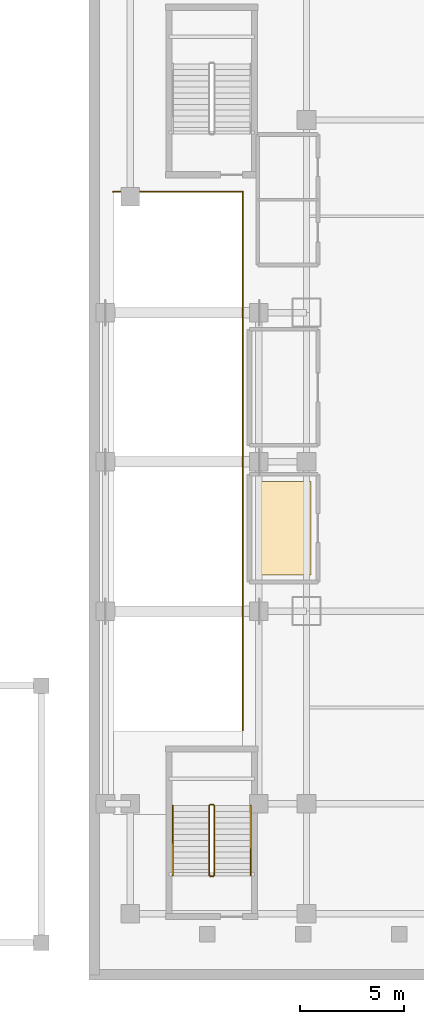
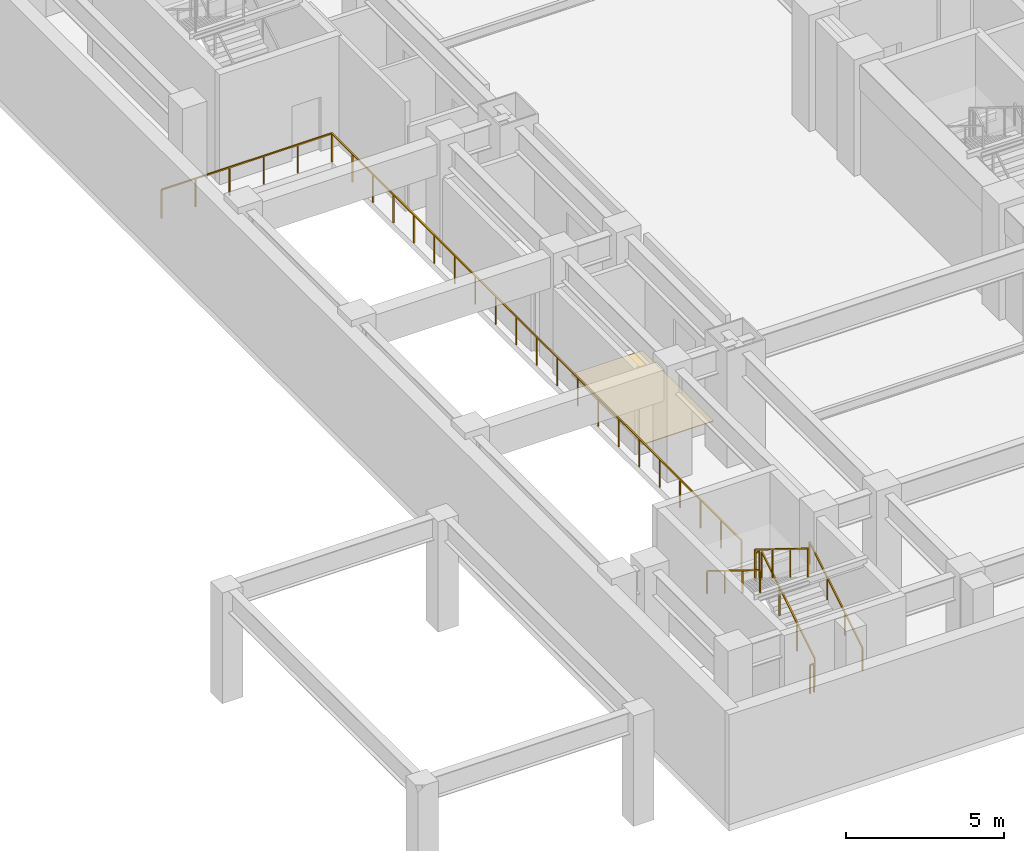
# One storey, part 7 of 12: 7 railings, 1 covering.
"""IFC4 building model written with IfcOpenShell, lengths in metres."""

from ifc_helpers import new_model, si_unit, direction, frame, origin, origin_2d, place, context, subcontext, project, spatial, polyline, rectangle, outline, extrude, material, layer, layer_set, type_object, element, save


model = new_model("IFC4")

# Units and contexts
model_context = context("Model", 3, precision=1e-05, world=origin(), true_north=direction((0.0, 1.0)))
body_context = subcontext(model_context, "Body", "Model", "MODEL_VIEW")
ifc_project = project(units=[si_unit("LENGTHUNIT", "METRE"), si_unit("AREAUNIT", "SQUARE_METRE"), si_unit("VOLUMEUNIT", "CUBIC_METRE"), si_unit("PLANEANGLEUNIT", "RADIAN"), si_unit("MASSUNIT", "GRAM", prefix="KILO")], contexts=[model_context])

# Site, building, storey
site_placement = place(None, origin())
site = spatial("IfcSite", under=ifc_project, at=site_placement, CompositionType="ELEMENT")
building_placement = place(site_placement, origin())
building = spatial("IfcBuilding", under=site, at=building_placement, Name="Vantalir Tower", CompositionType="ELEMENT")
storey_placement = place(building_placement, frame((0.0, 0.0, -4.5)))
storey = spatial("IfcBuildingStorey", under=building, at=storey_placement, Name="B01", CompositionType="ELEMENT", Elevation=-4.5)

# Covering
ifc_material_1 = material(Name="Tropical teak timber and terrazzo floor finish", Category="wood")
ifc_layer = layer(ifc_material_1, 0.02490234375)
ifc_layer_set = layer_set([ifc_layer], Name="Tropical teak timber and terrazzo floor finish")
covering_type = type_object("IfcCoveringType", Name="COV-TIMBER-STONE-25", PredefinedType="FLOORING", material=ifc_layer_set)
covering_placement = place(storey_placement, origin())
element("IfcCovering", 1, at=covering_placement, inside=storey, type_object=covering_type, Name="B01 Commercial Hotel Laundry Floor Finish", PredefinedType="FLOORING", context=body_context, shape_type="SweptSolid", body=[
    extrude(outline(polyline([(10.719970703125, 24.050048828125), (8.10009765625, 24.050048828125), (8.10009765625, 19.550048828125), (10.719970703125, 19.550048828125), (10.719970703125, 24.050048828125)])), origin(), (0.0, 0.0, 1.0), 0.02490234375),
])

# Railings
ifc_material_2 = material(Name="Anodised aluminium and stainless steel guard", Category="steel")
railing_type_1 = type_object("IfcRailingType", Name="RAL-GUARD-1120", PredefinedType="GUARDRAIL", material=ifc_material_2)
railing_1_placement = place(storey_placement, frame((6.050048828125, 5.050048828125, 0.173095703125)))
element("IfcRailing", 2, at=railing_1_placement, inside=storey, type_object=railing_type_1, Name="B01 PST3 stair guard 1", PredefinedType="GUARDRAIL", context=body_context, shape_type="SweptSolid", body=[
    extrude(rectangle(XDim=0.048095703125, YDim=0.048095703125, at=origin_2d()), frame((0.0, 0.0, 1.09619140625), z_axis=(0.0, 0.850606129759, 0.525803396734), x_axis=(-1.0, 0.0, 0.0)), (0.0, 0.0, 1.0), 3.949951171875),
    extrude(rectangle(XDim=0.0419921875, YDim=0.0419921875, at=origin_2d()), origin(), (0.0, 0.0, 1.0), 1.072021484375),
    extrude(rectangle(XDim=0.0419921875, YDim=0.0419921875, at=origin_2d()), frame((0.0, 1.119873046875, 0.6923828125)), (0.0, 0.0, 1.0), 1.072021484375),
    extrude(rectangle(XDim=0.0419921875, YDim=0.0419921875, at=origin_2d()), frame((0.0, 2.239990234375, 1.384521484375)), (0.0, 0.0, 1.0), 1.072021484375),
    extrude(rectangle(XDim=0.0419921875, YDim=0.0419921875, at=origin_2d()), frame((0.0, 3.35986328125, 2.076904296875)), (0.0, 0.0, 1.0), 1.072021484375),
])
railing_2_placement = place(storey_placement, frame((6.0, 8.4599609375, 2.25)))
element("IfcRailing", 3, at=railing_2_placement, inside=storey, type_object=railing_type_1, Name="B01 PST3 stair guard 2", PredefinedType="GUARDRAIL", context=body_context, shape_type="SweptSolid", body=[
    extrude(rectangle(XDim=0.048095703125, YDim=0.048095703125, at=origin_2d()), frame((0.0, 0.0, 1.09619140625), z_axis=(-1.0, 0.0, 0.0), x_axis=(0.0, -1.0, 0.0)), (0.0, 0.0, 1.0), 0.14990234375),
    extrude(rectangle(XDim=0.0419921875, YDim=0.0419921875, at=origin_2d()), origin(), (0.0, 0.0, 1.0), 1.072021484375),
    extrude(rectangle(XDim=0.0419921875, YDim=0.0419921875, at=origin_2d()), frame((-0.14990234375, 0.0, 0.0)), (0.0, 0.0, 1.0), 1.072021484375),
])
railing_3_placement = place(storey_placement, frame((5.800048828125, 8.409912109375, 2.423095703125)))
element("IfcRailing", 4, at=railing_3_placement, inside=storey, type_object=railing_type_1, Name="B01 PST3 stair guard 3", PredefinedType="GUARDRAIL", context=body_context, shape_type="SweptSolid", body=[
    extrude(rectangle(XDim=0.048095703125, YDim=0.048095703125, at=origin_2d()), frame((0.0, 0.0, 1.09619140625), z_axis=(0.0, -0.850606129759, 0.525803396734), x_axis=(1.0, 0.0, 0.0)), (0.0, 0.0, 1.0), 3.949951171875),
    extrude(rectangle(XDim=0.0419921875, YDim=0.0419921875, at=origin_2d()), origin(), (0.0, 0.0, 1.0), 1.072021484375),
    extrude(rectangle(XDim=0.0419921875, YDim=0.0419921875, at=origin_2d()), frame((0.0, -1.119873046875, 0.6923828125)), (0.0, 0.0, 1.0), 1.072021484375),
    extrude(rectangle(XDim=0.0419921875, YDim=0.0419921875, at=origin_2d()), frame((0.0, -2.239990234375, 1.384521484375)), (0.0, 0.0, 1.0), 1.072021484375),
    extrude(rectangle(XDim=0.0419921875, YDim=0.0419921875, at=origin_2d()), frame((0.0, -3.35986328125, 2.076904296875)), (0.0, 0.0, 1.0), 1.072021484375),
])
railing_4_placement = place(storey_placement, frame((6.0, 5.0, 0.0)))
element("IfcRailing", 5, at=railing_4_placement, inside=storey, type_object=railing_type_1, Name="B01 PST3 stair guard 4", PredefinedType="GUARDRAIL", context=body_context, shape_type="SweptSolid", body=[
    extrude(rectangle(XDim=0.048095703125, YDim=0.048095703125, at=origin_2d()), frame((0.0, 0.0, 1.09619140625), z_axis=(-1.0, 0.0, 0.0), x_axis=(0.0, -1.0, 0.0)), (0.0, 0.0, 1.0), 0.14990234375),
    extrude(rectangle(XDim=0.0419921875, YDim=0.0419921875, at=origin_2d()), origin(), (0.0, 0.0, 1.0), 1.072021484375),
    extrude(rectangle(XDim=0.0419921875, YDim=0.0419921875, at=origin_2d()), frame((-0.14990234375, 0.0, 0.0)), (0.0, 0.0, 1.0), 1.072021484375),
])
railing_5_placement = place(storey_placement, frame((7.419921875, 12.06005859375, 0.0)))
element("IfcRailing", 6, at=railing_5_placement, inside=storey, type_object=railing_type_1, Name="B01 Car Park Ramp VR2 Edge Guardrail", PredefinedType="GUARDRAIL", context=body_context, shape_type="SweptSolid", body=[
    extrude(rectangle(XDim=0.048095703125, YDim=0.048095703125, at=origin_2d()), frame((0.0, 0.0, 1.09619140625), z_axis=(0.0, 1.0, 0.0), x_axis=(-1.0, 0.0, 0.0)), (0.0, 0.0, 1.0), 25.97998046875),
    extrude(rectangle(XDim=0.048095703125, YDim=0.048095703125, at=origin_2d()), frame((0.0, 25.97998046875, 1.09619140625), z_axis=(-1.0, 0.0, 0.0), x_axis=(0.0, -1.0, 0.0)), (0.0, 0.0, 1.0), 6.239990234375),
    extrude(rectangle(XDim=0.0419921875, YDim=0.0419921875, at=origin_2d()), origin(), (0.0, 0.0, 1.0), 1.072021484375),
    extrude(rectangle(XDim=0.0419921875, YDim=0.0419921875, at=origin_2d()), frame((0.0, 1.299072265625, 0.0)), (0.0, 0.0, 1.0), 1.072021484375),
    extrude(rectangle(XDim=0.0419921875, YDim=0.0419921875, at=origin_2d()), frame((0.0, 2.597900390625, 0.0)), (0.0, 0.0, 1.0), 1.072021484375),
    extrude(rectangle(XDim=0.0419921875, YDim=0.0419921875, at=origin_2d()), frame((0.0, 3.89697265625, 0.0)), (0.0, 0.0, 1.0), 1.072021484375),
    extrude(rectangle(XDim=0.0419921875, YDim=0.0419921875, at=origin_2d()), frame((0.0, 5.196044921875, 0.0)), (0.0, 0.0, 1.0), 1.072021484375),
    extrude(rectangle(XDim=0.0419921875, YDim=0.0419921875, at=origin_2d()), frame((0.0, 6.4951171875, 0.0)), (0.0, 0.0, 1.0), 1.072021484375),
    extrude(rectangle(XDim=0.0419921875, YDim=0.0419921875, at=origin_2d()), frame((0.0, 7.7939453125, 0.0)), (0.0, 0.0, 1.0), 1.072021484375),
    extrude(rectangle(XDim=0.0419921875, YDim=0.0419921875, at=origin_2d()), frame((0.0, 9.093017578125, 0.0)), (0.0, 0.0, 1.0), 1.072021484375),
    extrude(rectangle(XDim=0.0419921875, YDim=0.0419921875, at=origin_2d()), frame((0.0, 10.39208984375, 0.0)), (0.0, 0.0, 1.0), 1.072021484375),
    extrude(rectangle(XDim=0.0419921875, YDim=0.0419921875, at=origin_2d()), frame((0.0, 11.69091796875, 0.0)), (0.0, 0.0, 1.0), 1.072021484375),
    extrude(rectangle(XDim=0.0419921875, YDim=0.0419921875, at=origin_2d()), frame((0.0, 12.989990234375, 0.0)), (0.0, 0.0, 1.0), 1.072021484375),
    extrude(rectangle(XDim=0.0419921875, YDim=0.0419921875, at=origin_2d()), frame((0.0, 14.2890625, 0.0)), (0.0, 0.0, 1.0), 1.072021484375),
    extrude(rectangle(XDim=0.0419921875, YDim=0.0419921875, at=origin_2d()), frame((0.0, 15.587890625, 0.0)), (0.0, 0.0, 1.0), 1.072021484375),
    extrude(rectangle(XDim=0.0419921875, YDim=0.0419921875, at=origin_2d()), frame((0.0, 16.886962890625, 0.0)), (0.0, 0.0, 1.0), 1.072021484375),
    extrude(rectangle(XDim=0.0419921875, YDim=0.0419921875, at=origin_2d()), frame((0.0, 18.18603515625, 0.0)), (0.0, 0.0, 1.0), 1.072021484375),
    extrude(rectangle(XDim=0.0419921875, YDim=0.0419921875, at=origin_2d()), frame((0.0, 19.48486328125, 0.0)), (0.0, 0.0, 1.0), 1.072021484375),
    extrude(rectangle(XDim=0.0419921875, YDim=0.0419921875, at=origin_2d()), frame((0.0, 20.783935546875, 0.0)), (0.0, 0.0, 1.0), 1.072021484375),
    extrude(rectangle(XDim=0.0419921875, YDim=0.0419921875, at=origin_2d()), frame((0.0, 22.0830078125, 0.0)), (0.0, 0.0, 1.0), 1.072021484375),
    extrude(rectangle(XDim=0.0419921875, YDim=0.0419921875, at=origin_2d()), frame((0.0, 23.382080078125, 0.0)), (0.0, 0.0, 1.0), 1.072021484375),
    extrude(rectangle(XDim=0.0419921875, YDim=0.0419921875, at=origin_2d()), frame((0.0, 24.680908203125, 0.0)), (0.0, 0.0, 1.0), 1.072021484375),
    extrude(rectangle(XDim=0.0419921875, YDim=0.0419921875, at=origin_2d()), frame((0.0, 25.97998046875, 0.0)), (0.0, 0.0, 1.0), 1.072021484375),
    extrude(rectangle(XDim=0.0419921875, YDim=0.0419921875, at=origin_2d()), frame((-1.248046875, 25.97998046875, 0.0)), (0.0, 0.0, 1.0), 1.072021484375),
    extrude(rectangle(XDim=0.0419921875, YDim=0.0419921875, at=origin_2d()), frame((-2.49609375, 25.97998046875, 0.0)), (0.0, 0.0, 1.0), 1.072021484375),
    extrude(rectangle(XDim=0.0419921875, YDim=0.0419921875, at=origin_2d()), frame((-3.743896484375, 25.97998046875, 0.0)), (0.0, 0.0, 1.0), 1.072021484375),
    extrude(rectangle(XDim=0.0419921875, YDim=0.0419921875, at=origin_2d()), frame((-4.991943359375, 25.97998046875, 0.0)), (0.0, 0.0, 1.0), 1.072021484375),
    extrude(rectangle(XDim=0.0419921875, YDim=0.0419921875, at=origin_2d()), frame((-6.239990234375, 25.97998046875, 0.0)), (0.0, 0.0, 1.0), 1.072021484375),
])
ifc_material_3 = material(Name="Brushed stainless steel tubular handrail", Category="steel")
railing_type_2 = type_object("IfcRailingType", Name="RAL-HANDRAIL-900", PredefinedType="HANDRAIL", material=ifc_material_3)
railing_6_placement = place(storey_placement, frame((7.800048828125, 5.050048828125, 0.173095703125)))
element("IfcRailing", 7, at=railing_6_placement, inside=storey, type_object=railing_type_2, Name="B01 PST3 stair handrail 1", PredefinedType="HANDRAIL", context=body_context, shape_type="SweptSolid", body=[
    extrude(rectangle(XDim=0.048095703125, YDim=0.048095703125, at=origin_2d()), frame((0.0, 0.0, 0.8759765625), z_axis=(0.0, 0.850606129759, 0.525803396734), x_axis=(-1.0, 0.0, 0.0)), (0.0, 0.0, 1.0), 3.949951171875),
    extrude(rectangle(XDim=0.0419921875, YDim=0.0419921875, at=origin_2d()), origin(), (0.0, 0.0, 1.0), 0.851806640625),
    extrude(rectangle(XDim=0.0419921875, YDim=0.0419921875, at=origin_2d()), frame((0.0, 1.119873046875, 0.6923828125)), (0.0, 0.0, 1.0), 0.851806640625),
    extrude(rectangle(XDim=0.0419921875, YDim=0.0419921875, at=origin_2d()), frame((0.0, 2.239990234375, 1.384521484375)), (0.0, 0.0, 1.0), 0.851806640625),
    extrude(rectangle(XDim=0.0419921875, YDim=0.0419921875, at=origin_2d()), frame((0.0, 3.35986328125, 2.076904296875)), (0.0, 0.0, 1.0), 0.851806640625),
])
railing_7_placement = place(storey_placement, frame((4.050048828125, 8.409912109375, 2.423095703125)))
element("IfcRailing", 8, at=railing_7_placement, inside=storey, type_object=railing_type_2, Name="B01 PST3 stair handrail 2", PredefinedType="HANDRAIL", context=body_context, shape_type="SweptSolid", body=[
    extrude(rectangle(XDim=0.048095703125, YDim=0.048095703125, at=origin_2d()), frame((0.0, 0.0, 0.8759765625), z_axis=(0.0, -0.850606129759, 0.525803396734), x_axis=(1.0, 0.0, 0.0)), (0.0, 0.0, 1.0), 3.949951171875),
    extrude(rectangle(XDim=0.0419921875, YDim=0.0419921875, at=origin_2d()), origin(), (0.0, 0.0, 1.0), 0.851806640625),
    extrude(rectangle(XDim=0.0419921875, YDim=0.0419921875, at=origin_2d()), frame((0.0, -1.119873046875, 0.6923828125)), (0.0, 0.0, 1.0), 0.851806640625),
    extrude(rectangle(XDim=0.0419921875, YDim=0.0419921875, at=origin_2d()), frame((0.0, -2.239990234375, 1.384521484375)), (0.0, 0.0, 1.0), 0.851806640625),
    extrude(rectangle(XDim=0.0419921875, YDim=0.0419921875, at=origin_2d()), frame((0.0, -3.35986328125, 2.076904296875)), (0.0, 0.0, 1.0), 0.851806640625),
])

save(model, "model.ifc")
